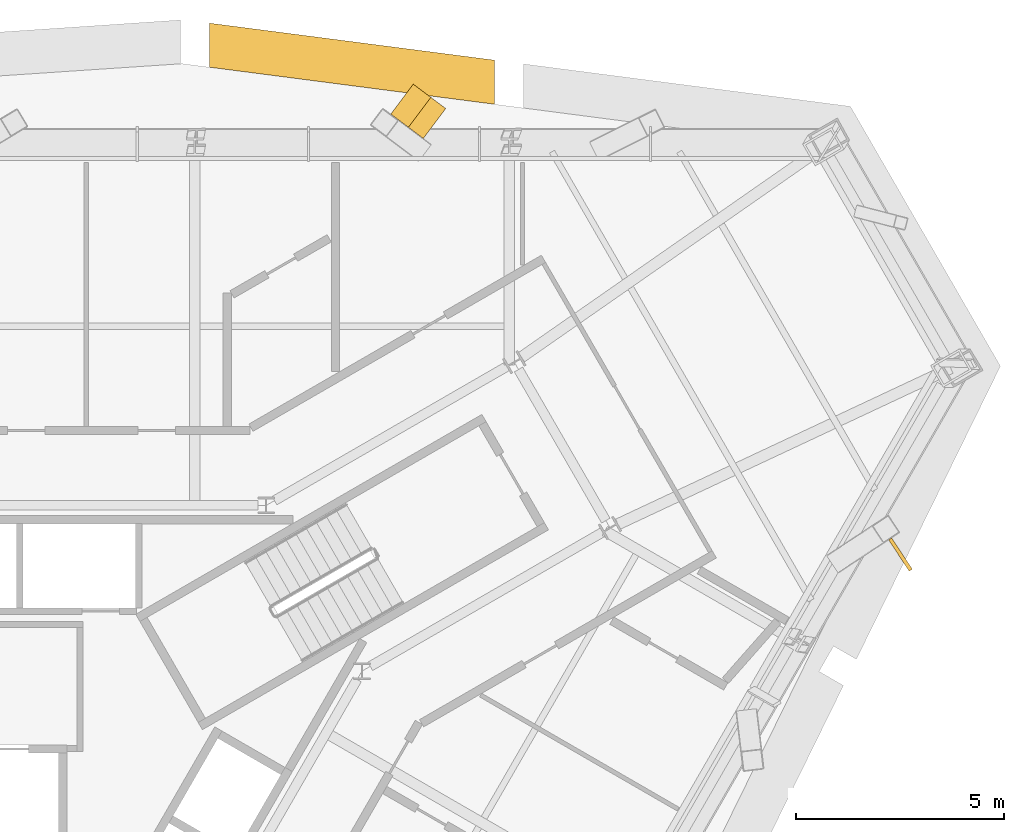
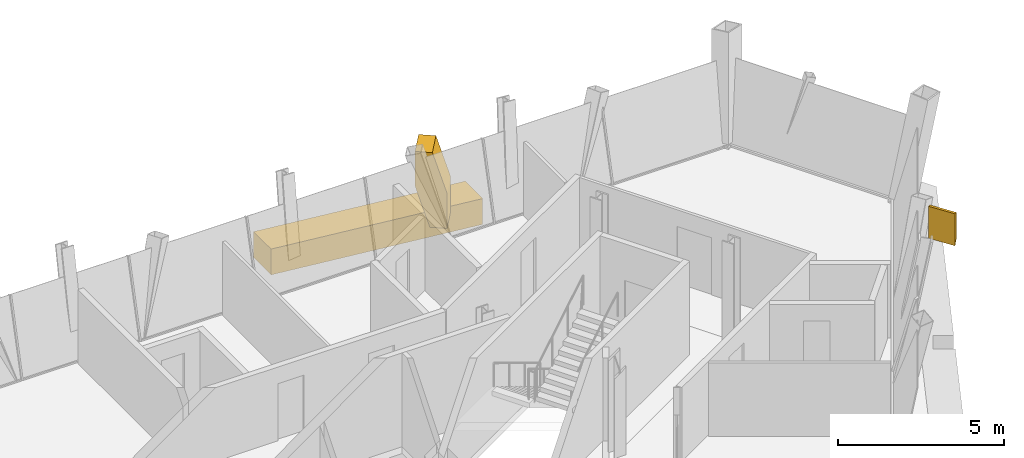
# One storey, part 11 of 11: 3 coverings.
"""IFC4 building model written with IfcOpenShell, lengths in metres."""

from ifc_helpers import new_model, si_unit, direction, frame, origin, place, context, subcontext, project, spatial, polyline, outline, extrude, material, layer, layer_set, type_object, element, save


model = new_model("IFC4")

# Units and contexts
model_context = context("Model", 3, precision=1e-05, world=origin(), true_north=direction((0.0, 1.0)))
body_context = subcontext(model_context, "Body", "Model", "MODEL_VIEW")
ifc_project = project(units=[si_unit("LENGTHUNIT", "METRE"), si_unit("AREAUNIT", "SQUARE_METRE"), si_unit("VOLUMEUNIT", "CUBIC_METRE"), si_unit("PLANEANGLEUNIT", "RADIAN"), si_unit("MASSUNIT", "GRAM", prefix="KILO")], contexts=[model_context])

# Site, building, storey
site_placement = place(None, origin())
site = spatial("IfcSite", under=ifc_project, at=site_placement, CompositionType="ELEMENT")
building_placement = place(site_placement, origin())
building = spatial("IfcBuilding", under=site, at=building_placement, Name="Verrane Prism Tower", CompositionType="ELEMENT")
storey_placement = place(building_placement, frame((0.0, 0.0, 156.199951171875)))
storey = spatial("IfcBuildingStorey", under=building, at=storey_placement, Name="L38", CompositionType="ELEMENT", Elevation=156.199951171875)

# Coverings
ifc_material_1 = material(Name="Warm limestone cladding", Category="masonry")
ifc_layer_1 = layer(ifc_material_1, 0.89990234375)
ifc_layer_set_1 = layer_set([ifc_layer_1], Name="Stone brace fin 900")
covering_type_1 = type_object("IfcCoveringType", Name="Stone brace fin 900", PredefinedType="CLADDING", material=ifc_layer_set_1)
covering_1_placement = place(storey_placement, frame((13.303466796875, 17.17333984375, 0.0), z_axis=(0.0, 0.0, 1.0), x_axis=(-0.800240308359, 0.599679455107, 0.0)))
element("IfcCovering", 1, at=covering_1_placement, inside=storey, type_object=covering_type_1, Name="Stone brace fin N2 L38", PredefinedType="CLADDING", context=body_context, shape_type="SweptSolid", body=[
    extrude(outline(polyline([(0.974853515625, 2.75), (0.447509765625, 2.75), (0.0, 1.283447265625), (0.0, 0.0), (0.523681640625, 0.0), (0.974853515625, 1.4794921875), (0.974853515625, 2.75)])), frame((0.0, 0.449951171875, 0.0), z_axis=(0.0, -1.0, 0.0), x_axis=(1.0, 0.0, 0.0)), (0.0, 0.0, 1.0), 0.89990234375),
])
covering_2_placement = place(storey_placement, frame((24.45849609375, 6.796142578125, 1.573974609375), z_axis=(0.0, 0.0, 1.0), x_axis=(0.834635244944, 0.550803057269, 0.0)))
element("IfcCovering", 2, at=covering_2_placement, inside=storey, type_object=covering_type_1, Name="Stone brace fin SE6 L38", PredefinedType="CLADDING", context=body_context, shape_type="SweptSolid", body=[
    extrude(outline(polyline([(0.0869140625, 1.176025390625), (0.0, 1.176025390625), (0.0, 0.0), (0.0869140625, 0.213134765625), (0.0869140625, 1.176025390625)])), frame((0.0, 0.449951171875, 0.0), z_axis=(0.0, -1.0, 0.0), x_axis=(1.0, 0.0, 0.0)), (0.0, 0.0, 1.0), 0.89990234375),
])
ifc_material_2 = material(Name="Warm limestone cladding", Category="masonry")
ifc_layer_2 = layer(ifc_material_2, 0.449951171875)
ifc_layer_set_2 = layer_set([ifc_layer_2], Name="Stone spandrel band 450")
covering_type_2 = type_object("IfcCoveringType", Name="Stone spandrel band 450", PredefinedType="CLADDING", material=ifc_layer_set_2)
covering_3_placement = place(storey_placement, frame((0.0, 0.0, -0.949951171875)))
element("IfcCovering", 3, at=covering_3_placement, inside=storey, type_object=covering_type_2, Name="Stone spandrel band L38 part 5", PredefinedType="CLADDING", context=body_context, shape_type="SweptSolid", body=[
    extrude(outline(polyline([(7.897705078125, 18.525390625), (14.74560546875, 17.635986328125), (14.74560546875, 18.694580078125), (7.897705078125, 19.583984375), (7.897705078125, 18.525390625)])), origin(), (0.0, 0.0, 1.0), 0.949951171875),
])

save(model, "model.ifc")
